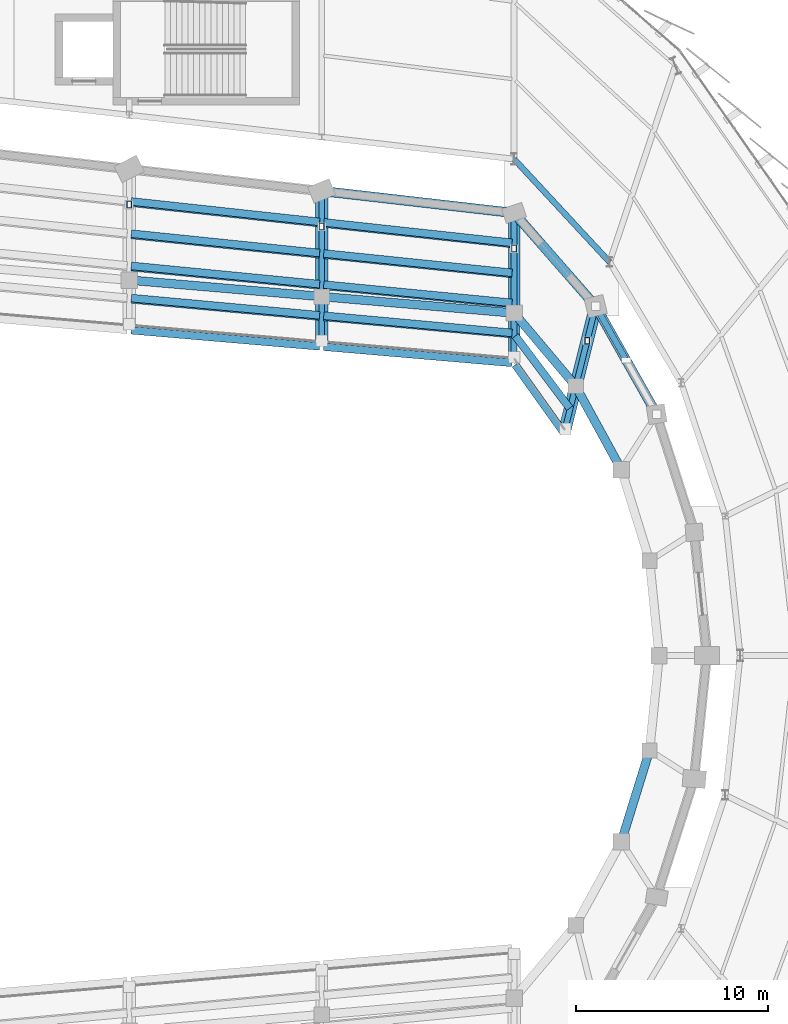
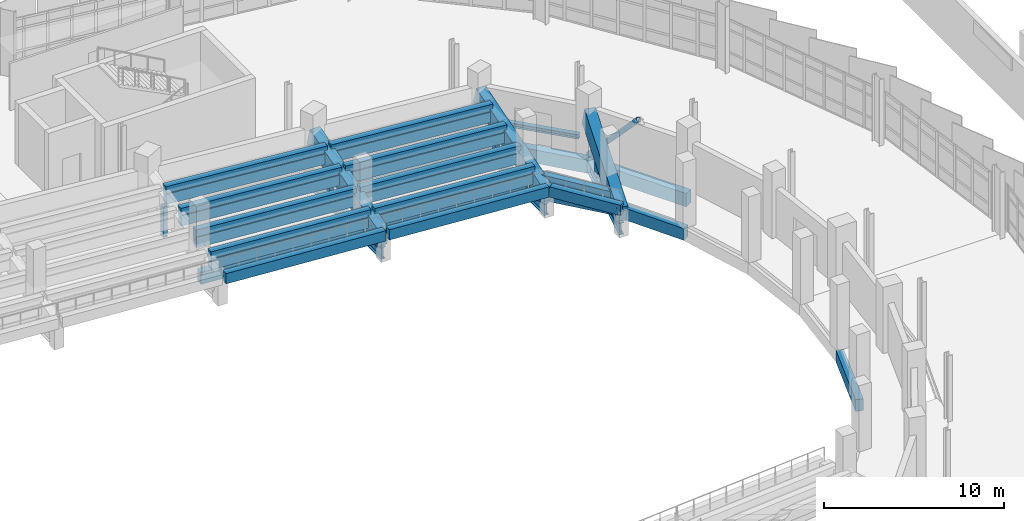
# One storey, part 65 of 120: 35 beams, 5 members.
"""IFC4 building model written with IfcOpenShell, lengths in metres."""

from ifc_helpers import new_model, si_unit, direction, frame, origin, origin_2d, place, context, subcontext, project, spatial, rectangle, hollow_rectangle, hollow_circle, i_section, extrude, material, material_profile, profile_set, type_object, element, save


model = new_model("IFC4")

# Units and contexts
model_context = context("Model", 3, precision=1e-05, world=origin(), true_north=direction((0.0, 1.0)))
body_context = subcontext(model_context, "Body", "Model", "MODEL_VIEW")
ifc_project = project(units=[si_unit("LENGTHUNIT", "METRE"), si_unit("AREAUNIT", "SQUARE_METRE"), si_unit("VOLUMEUNIT", "CUBIC_METRE"), si_unit("PLANEANGLEUNIT", "RADIAN"), si_unit("MASSUNIT", "GRAM", prefix="KILO")], contexts=[model_context])

# Site, building, storey
site_placement = place(None, origin())
site = spatial("IfcSite", under=ifc_project, at=site_placement, CompositionType="ELEMENT")
building_placement = place(site_placement, origin())
building = spatial("IfcBuilding", under=site, at=building_placement, Name="Sohan Crest Arena", CompositionType="ELEMENT")
storey_placement = place(building_placement, frame((0.0, 0.0, 13.5)))
storey = spatial("IfcBuildingStorey", under=building, at=storey_placement, Name="L03", CompositionType="ELEMENT", Elevation=13.5)

# Beams
ifc_material_1 = material(Name="Steel S355", Category="steel")
ifc_material_profile_1 = material_profile(ifc_material_1, i_section(OverallWidth=0.300048828125, OverallDepth=0.300048828125, WebThickness=0.010986328125, FlangeThickness=0.01904296875, at=origin_2d()), Name="HEB 300")
ifc_profile_set_1 = profile_set([ifc_material_profile_1], Name="Steel S355")
beam_type_1 = type_object("IfcBeamType", Name="STR-BM-B12", PredefinedType="BEAM", material=ifc_profile_set_1)
beam_1_placement = place(storey_placement, frame((172.9609375, 98.452880859375, -0.39990234375), z_axis=(-0.680135214567, 0.733086686488, 0.0), x_axis=(-0.733086686488, -0.680135214567, 0.0)))
element("IfcBeam", 1, at=beam_1_placement, inside=storey, type_object=beam_type_1, Name="Structural beam G-L03-1516", PredefinedType="BEAM", context=body_context, shape_type="SweptSolid", body=[
    extrude(i_section(OverallWidth=0.300048828125, OverallDepth=0.300048828125, WebThickness=0.010986328125, FlangeThickness=0.01904296875, at=origin_2d()), origin(), (0.0, 0.0, 1.0), 7.2939453125),
])
ifc_material_profile_2 = material_profile(ifc_material_1, i_section(OverallWidth=0.300048828125, OverallDepth=0.800048828125, WebThickness=0.017578125, FlangeThickness=0.032958984375, at=origin_2d()), Name="HEB 800")
ifc_profile_set_2 = profile_set([ifc_material_profile_2], Name="Steel S355")
beam_type_2 = type_object("IfcBeamType", Name="STR-BM-B17", PredefinedType="BEAM", material=ifc_profile_set_2)
beam_2_placement = place(storey_placement, frame((172.242919921875, 96.154052734375, -0.64990234375), z_axis=(-0.242675466655, -0.970107529032, 0.0), x_axis=(0.970107529032, -0.242675466655, 0.0)))
element("IfcBeam", 2, at=beam_2_placement, inside=storey, type_object=beam_type_2, Name="Structural beam GC-L03-0878", PredefinedType="BEAM", context=body_context, shape_type="SweptSolid", body=[
    extrude(i_section(OverallWidth=0.300048828125, OverallDepth=0.800048828125, WebThickness=0.017578125, FlangeThickness=0.032958984375, at=origin_2d()), origin(), (0.0, 0.0, 1.0), 6.572509765625),
])
beam_3_placement = place(storey_placement, frame((168.0, 101.0, -0.64990234375), z_axis=(0.0, -1.0, 0.0), x_axis=(1.0, 0.0, 0.0)))
element("IfcBeam", 3, at=beam_3_placement, inside=storey, type_object=beam_type_2, Name="Structural beam GC-L03-0881", PredefinedType="BEAM", context=body_context, shape_type="SweptSolid", body=[
    extrude(i_section(OverallWidth=0.300048828125, OverallDepth=0.800048828125, WebThickness=0.017578125, FlangeThickness=0.032958984375, at=origin_2d()), origin(), (0.0, 0.0, 1.0), 7.5),
])
beam_4_placement = place(storey_placement, frame((158.0, 102.14306640625, -0.64990234375), z_axis=(0.0, -1.0, 0.0), x_axis=(1.0, 0.0, 0.0)))
element("IfcBeam", 4, at=beam_4_placement, inside=storey, type_object=beam_type_2, Name="Structural beam GC-L03-0884", PredefinedType="BEAM", context=body_context, shape_type="SweptSolid", body=[
    extrude(i_section(OverallWidth=0.300048828125, OverallDepth=0.800048828125, WebThickness=0.017578125, FlangeThickness=0.032958984375, at=origin_2d()), origin(), (0.0, 0.0, 1.0), 7.7861328125),
])
ifc_material_2 = material(Name="Precast concrete C50/60", Category="concrete")
ifc_material_profile_3 = material_profile(ifc_material_2, rectangle(XDim=0.60009765625, YDim=1.199951171875, at=origin_2d()), Name="RAKER 600x1200")
ifc_profile_set_3 = profile_set([ifc_material_profile_3], Name="Precast concrete C50/60")
beam_type_3 = type_object("IfcBeamType", Name="STR-BM-RK04", PredefinedType="USERDEFINED", material=ifc_profile_set_3)
beam_5_placement = place(storey_placement, frame((168.0, 93.5, 0.35009765625), z_axis=(0.0, 0.95606118681, 0.293167199862), x_axis=(-1.0, 0.0, 0.0)))
element("IfcBeam", 5, at=beam_5_placement, inside=storey, type_object=beam_type_3, Name="Structural beam RKU-L03-0882", ObjectType="RAKER", PredefinedType="USERDEFINED", context=body_context, shape_type="SweptSolid", body=[
    extrude(rectangle(XDim=0.60009765625, YDim=1.199951171875, at=origin_2d()), origin(), (0.0, 0.0, 1.0), 7.8447265625),
])
ifc_material_profile_4 = material_profile(ifc_material_2, rectangle(XDim=0.64990234375, YDim=1.25, at=origin_2d()), Name="RAKER 650x1250")
ifc_profile_set_4 = profile_set([ifc_material_profile_4], Name="Precast concrete C50/60")
beam_type_4 = type_object("IfcBeamType", Name="STR-BM-RK05", PredefinedType="USERDEFINED", material=ifc_profile_set_4)
beam_6_placement = place(storey_placement, frame((158.0, 94.35693359375, 0.35009765625), z_axis=(0.0, 0.959039248172, 0.283273225818), x_axis=(-1.0, 0.0, 0.0)))
element("IfcBeam", 6, at=beam_6_placement, inside=storey, type_object=beam_type_4, Name="Structural beam RKU-L03-0885", ObjectType="RAKER", PredefinedType="USERDEFINED", context=body_context, shape_type="SweptSolid", body=[
    extrude(rectangle(XDim=0.64990234375, YDim=1.25, at=origin_2d()), origin(), (0.0, 0.0, 1.0), 8.11865234375),
])
ifc_material_profile_5 = material_profile(ifc_material_2, rectangle(XDim=0.64990234375, YDim=1.35009765625, at=origin_2d()), Name="RAKER 650x1350")
ifc_profile_set_5 = profile_set([ifc_material_profile_5], Name="Precast concrete C50/60")
beam_type_5 = type_object("IfcBeamType", Name="STR-BM-RK06", PredefinedType="USERDEFINED", material=ifc_profile_set_5)
beam_7_placement = place(storey_placement, frame((170.64794921875, 89.778076171875, 0.35009765625), z_axis=(0.229057247577, 0.915668005163, 0.330280004925), x_axis=(-0.970107529032, 0.242675466655, 0.0)))
element("IfcBeam", 7, at=beam_7_placement, inside=storey, type_object=beam_type_5, Name="Structural beam RKU-L03-0879", ObjectType="RAKER", PredefinedType="USERDEFINED", context=body_context, shape_type="SweptSolid", body=[
    extrude(rectangle(XDim=0.64990234375, YDim=1.35009765625, at=origin_2d()), origin(), (0.0, 0.0, 1.0), 6.963134765625),
])
ifc_material_3 = material(Name="Concrete C40/50", Category="concrete")
ifc_material_profile_6 = material_profile(ifc_material_3, rectangle(XDim=0.39990234375, YDim=0.699951171875, at=origin_2d()), Name="RC-BM 400x700")
ifc_profile_set_6 = profile_set([ifc_material_profile_6], Name="Concrete C40/50")
beam_type_6 = type_object("IfcBeamType", Name="STR-BM-TB01", PredefinedType="BEAM", material=ifc_profile_set_6)
beam_8_placement = place(storey_placement, frame((170.583984375, 89.575927734375, 0.85595703125), z_axis=(-0.580567609118, 0.81421204317, 0.0), x_axis=(-0.81421204317, -0.580567609118, 0.0)))
element("IfcBeam", 8, at=beam_8_placement, inside=storey, type_object=beam_type_6, Name="Upper tier front stringer TSB-U195A", PredefinedType="BEAM", context=body_context, shape_type="SweptSolid", body=[
    extrude(rectangle(XDim=0.39990234375, YDim=0.699951171875, at=origin_2d()), origin(), (0.0, 0.0, 1.0), 4.340576171875),
])
beam_9_placement = place(storey_placement, frame((170.887939453125, 90.85498046875, 0.85595703125), z_axis=(-0.600773100005, 0.799419590897, 0.0), x_axis=(-0.799419590897, -0.600773100005, 0.0)))
element("IfcBeam", 9, at=beam_9_placement, inside=storey, type_object=beam_type_6, Name="Upper tier rear stringer TSB-U195B", PredefinedType="BEAM", context=body_context, shape_type="SweptSolid", body=[
    extrude(rectangle(XDim=0.39990234375, YDim=0.699951171875, at=origin_2d()), origin(), (0.0, 0.0, 1.0), 4.697265625),
])
beam_10_placement = place(storey_placement, frame((167.889892578125, 93.208984375, 0.85595703125), z_axis=(-0.996339328782, 0.085486501399, 0.0), x_axis=(-0.085486501399, -0.996339328782, 0.0)))
element("IfcBeam", 10, at=beam_10_placement, inside=storey, type_object=beam_type_6, Name="Upper tier front stringer TSB-U201A", PredefinedType="BEAM", context=body_context, shape_type="SweptSolid", body=[
    extrude(rectangle(XDim=0.39990234375, YDim=0.699951171875, at=origin_2d()), origin(), (0.0, 0.0, 1.0), 9.815673828125),
])
beam_11_placement = place(storey_placement, frame((167.889892578125, 94.7080078125, 0.85595703125), z_axis=(-0.995865446367, 0.090840589671, 0.0), x_axis=(-0.090840589671, -0.995865446367, 0.0)))
element("IfcBeam", 11, at=beam_11_placement, inside=storey, type_object=beam_type_6, Name="Upper tier rear stringer TSB-U201B", PredefinedType="BEAM", context=body_context, shape_type="SweptSolid", body=[
    extrude(rectangle(XDim=0.39990234375, YDim=0.699951171875, at=origin_2d()), origin(), (0.0, 0.0, 1.0), 9.8203125),
])
beam_12_placement = place(storey_placement, frame((167.889892578125, 94.77001953125, 1.31591796875), z_axis=(-0.995847435054, 0.091037827829, 0.0), x_axis=(-0.091037827829, -0.995847435054, 0.0)))
element("IfcBeam", 12, at=beam_12_placement, inside=storey, type_object=beam_type_6, Name="Upper tier front stringer TSB-U202A", PredefinedType="BEAM", context=body_context, shape_type="SweptSolid", body=[
    extrude(rectangle(XDim=0.39990234375, YDim=0.699951171875, at=origin_2d()), origin(), (0.0, 0.0, 1.0), 9.820556640625),
])
beam_13_placement = place(storey_placement, frame((167.89111328125, 96.26904296875, 1.31591796875), z_axis=(-0.995346555601, 0.096359920365, 0.0), x_axis=(-0.096359920365, -0.995346555601, 0.0)))
element("IfcBeam", 13, at=beam_13_placement, inside=storey, type_object=beam_type_6, Name="Upper tier rear stringer TSB-U202B", PredefinedType="BEAM", context=body_context, shape_type="SweptSolid", body=[
    extrude(rectangle(XDim=0.39990234375, YDim=0.699951171875, at=origin_2d()), origin(), (0.0, 0.0, 1.0), 9.827880859375),
])
beam_14_placement = place(storey_placement, frame((167.89111328125, 96.3310546875, 1.77587890625), z_axis=(-0.995327475859, 0.096556800905, 0.0), x_axis=(-0.096556800905, -0.995327475859, 0.0)))
element("IfcBeam", 14, at=beam_14_placement, inside=storey, type_object=beam_type_6, Name="Upper tier front stringer TSB-U203A", PredefinedType="BEAM", context=body_context, shape_type="SweptSolid", body=[
    extrude(rectangle(XDim=0.39990234375, YDim=0.699951171875, at=origin_2d()), origin(), (0.0, 0.0, 1.0), 9.828125),
])
beam_15_placement = place(storey_placement, frame((167.89111328125, 97.8291015625, 1.77587890625), z_axis=(-0.994775234017, 0.102089342175, 0.0), x_axis=(-0.102089342175, -0.994775234017, 0.0)))
element("IfcBeam", 15, at=beam_15_placement, inside=storey, type_object=beam_type_6, Name="Upper tier rear stringer TSB-U203B", PredefinedType="BEAM", context=body_context, shape_type="SweptSolid", body=[
    extrude(rectangle(XDim=0.39990234375, YDim=0.699951171875, at=origin_2d()), origin(), (0.0, 0.0, 1.0), 9.83349609375),
])
beam_16_placement = place(storey_placement, frame((167.89111328125, 97.89111328125, 2.236083984375), z_axis=(-0.994744935086, 0.102384149753, 0.0), x_axis=(-0.102384149753, -0.994744935086, 0.0)))
element("IfcBeam", 16, at=beam_16_placement, inside=storey, type_object=beam_type_6, Name="Upper tier front stringer TSB-U204A", PredefinedType="BEAM", context=body_context, shape_type="SweptSolid", body=[
    extrude(rectangle(XDim=0.39990234375, YDim=0.699951171875, at=origin_2d()), origin(), (0.0, 0.0, 1.0), 9.833984375),
])
beam_17_placement = place(storey_placement, frame((167.89111328125, 99.389892578125, 2.236083984375), z_axis=(-0.994190266823, 0.107636951619, 0.0), x_axis=(-0.107636951619, -0.994190266823, 0.0)))
element("IfcBeam", 17, at=beam_17_placement, inside=storey, type_object=beam_type_6, Name="Upper tier rear stringer TSB-U204B", PredefinedType="BEAM", context=body_context, shape_type="SweptSolid", body=[
    extrude(rectangle(XDim=0.39990234375, YDim=0.699951171875, at=origin_2d()), origin(), (0.0, 0.0, 1.0), 9.83935546875),
])
beam_18_placement = place(storey_placement, frame((167.89111328125, 99.451904296875, 2.696044921875), z_axis=(-0.994158361485, 0.107931238706, 0.0), x_axis=(-0.107931238706, -0.994158361485, 0.0)))
element("IfcBeam", 18, at=beam_18_placement, inside=storey, type_object=beam_type_6, Name="Upper tier front stringer TSB-U205A", PredefinedType="BEAM", context=body_context, shape_type="SweptSolid", body=[
    extrude(rectangle(XDim=0.39990234375, YDim=0.699951171875, at=origin_2d()), origin(), (0.0, 0.0, 1.0), 9.839599609375),
])
beam_19_placement = place(storey_placement, frame((157.889892578125, 94.06591796875, 0.85595703125), z_axis=(-0.996339328782, 0.085486501399, 0.0), x_axis=(-0.085486501399, -0.996339328782, 0.0)))
element("IfcBeam", 19, at=beam_19_placement, inside=storey, type_object=beam_type_6, Name="Upper tier front stringer TSB-U211A", PredefinedType="BEAM", context=body_context, shape_type="SweptSolid", body=[
    extrude(rectangle(XDim=0.39990234375, YDim=0.699951171875, at=origin_2d()), origin(), (0.0, 0.0, 1.0), 9.815673828125),
])
beam_20_placement = place(storey_placement, frame((157.889892578125, 95.6201171875, 0.85595703125), z_axis=(-0.99587668393, 0.090717310391, 0.0), x_axis=(-0.090717310391, -0.99587668393, 0.0)))
element("IfcBeam", 20, at=beam_20_placement, inside=storey, type_object=beam_type_6, Name="Upper tier rear stringer TSB-U211B", PredefinedType="BEAM", context=body_context, shape_type="SweptSolid", body=[
    extrude(rectangle(XDim=0.39990234375, YDim=0.699951171875, at=origin_2d()), origin(), (0.0, 0.0, 1.0), 9.8203125),
])
beam_21_placement = place(storey_placement, frame((157.889892578125, 95.68408203125, 1.31591796875), z_axis=(-0.995849688569, 0.091013173645, 0.0), x_axis=(-0.091013173645, -0.995849688569, 0.0)))
element("IfcBeam", 21, at=beam_21_placement, inside=storey, type_object=beam_type_6, Name="Upper tier front stringer TSB-U212A", PredefinedType="BEAM", context=body_context, shape_type="SweptSolid", body=[
    extrude(rectangle(XDim=0.39990234375, YDim=0.699951171875, at=origin_2d()), origin(), (0.0, 0.0, 1.0), 9.820556640625),
])
beam_22_placement = place(storey_placement, frame((157.89111328125, 97.238037109375, 1.31591796875), z_axis=(-0.995346555601, 0.096359920365, 0.0), x_axis=(-0.096359920365, -0.995346555601, 0.0)))
element("IfcBeam", 22, at=beam_22_placement, inside=storey, type_object=beam_type_6, Name="Upper tier rear stringer TSB-U212B", PredefinedType="BEAM", context=body_context, shape_type="SweptSolid", body=[
    extrude(rectangle(XDim=0.39990234375, YDim=0.699951171875, at=origin_2d()), origin(), (0.0, 0.0, 1.0), 9.827880859375),
])
beam_23_placement = place(storey_placement, frame((157.89111328125, 97.302001953125, 1.77587890625), z_axis=(-0.995317921659, 0.096655236927, 0.0), x_axis=(-0.096655236927, -0.995317921659, 0.0)))
element("IfcBeam", 23, at=beam_23_placement, inside=storey, type_object=beam_type_6, Name="Upper tier front stringer TSB-U213A", PredefinedType="BEAM", context=body_context, shape_type="SweptSolid", body=[
    extrude(rectangle(XDim=0.39990234375, YDim=0.699951171875, at=origin_2d()), origin(), (0.0, 0.0, 1.0), 9.828125),
])
beam_24_placement = place(storey_placement, frame((157.89111328125, 98.85498046875, 1.77587890625), z_axis=(-0.994775234017, 0.102089342175, 0.0), x_axis=(-0.102089342175, -0.994775234017, 0.0)))
element("IfcBeam", 24, at=beam_24_placement, inside=storey, type_object=beam_type_6, Name="Upper tier rear stringer TSB-U213B", PredefinedType="BEAM", context=body_context, shape_type="SweptSolid", body=[
    extrude(rectangle(XDim=0.39990234375, YDim=0.699951171875, at=origin_2d()), origin(), (0.0, 0.0, 1.0), 9.83349609375),
])
beam_25_placement = place(storey_placement, frame((157.89111328125, 98.919921875, 2.236083984375), z_axis=(-0.994752517837, 0.102310450384, 0.0), x_axis=(-0.102310450384, -0.994752517837, 0.0)))
element("IfcBeam", 25, at=beam_25_placement, inside=storey, type_object=beam_type_6, Name="Upper tier front stringer TSB-U214A", PredefinedType="BEAM", context=body_context, shape_type="SweptSolid", body=[
    extrude(rectangle(XDim=0.39990234375, YDim=0.699951171875, at=origin_2d()), origin(), (0.0, 0.0, 1.0), 9.833740234375),
])
for number, where, z_axis, x_axis, name in (
    (26, (157.89111328125, 100.472900390625, 2.236083984375), (-0.994179641162, 0.107735050462, 0.0), (-0.107735050462, -0.994179641162, 0.0), "Upper tier rear stringer TSB-U214B"),
    (27, (157.89111328125, 100.5380859375, 2.696044921875), (-0.994158361485, 0.107931238706, 0.0), (-0.107931238706, -0.994158361485, 0.0), "Upper tier front stringer TSB-U215A"),
):
    element("IfcBeam", number, at=place(storey_placement, frame(where, z_axis=z_axis, x_axis=x_axis)), inside=storey, type_object=beam_type_6, Name=name, PredefinedType="BEAM", context=body_context, shape_type="SweptSolid", body=[
        extrude(rectangle(XDim=0.39990234375, YDim=0.699951171875, at=origin_2d()), origin(), (0.0, 0.0, 1.0), 9.839599609375),
    ])
ifc_material_profile_7 = material_profile(ifc_material_3, rectangle(XDim=0.449951171875, YDim=0.800048828125, at=origin_2d()), Name="RC-BM 450x800")
ifc_profile_set_7 = profile_set([ifc_material_profile_7], Name="Concrete C40/50")
beam_type_7 = type_object("IfcBeamType", Name="STR-BM-TB02", PredefinedType="BEAM", material=ifc_profile_set_7)
beam_26_placement = place(storey_placement, frame((173.571044921875, 68.3359375, -0.64990234375), z_axis=(0.295819661295, 0.955243805524, 0.0), x_axis=(-0.955243805524, 0.295819661295, 0.0)))
element("IfcBeam", 28, at=beam_26_placement, inside=storey, type_object=beam_type_7, Name="Structural beam TB-L03-0537", PredefinedType="BEAM", context=body_context, shape_type="SweptSolid", body=[
    extrude(rectangle(XDim=0.449951171875, YDim=0.800048828125, at=origin_2d()), origin(), (0.0, 0.0, 1.0), 4.9560546875),
])
beam_27_placement = place(storey_placement, frame((173.571044921875, 87.6640625, -0.64990234375), z_axis=(-0.479687297687, 0.877439511555, 0.0), x_axis=(-0.877439511555, -0.479687297687, 0.0)))
element("IfcBeam", 29, at=beam_27_placement, inside=storey, type_object=beam_type_7, Name="Structural beam TB-L03-0629", PredefinedType="BEAM", context=body_context, shape_type="SweptSolid", body=[
    extrude(rectangle(XDim=0.449951171875, YDim=0.800048828125, at=origin_2d()), origin(), (0.0, 0.0, 1.0), 4.955322265625),
])
beam_28_placement = place(storey_placement, frame((171.194091796875, 92.011962890625, -0.64990234375), z_axis=(-0.644622663131, 0.764500897435, 0.0), x_axis=(-0.764500897435, -0.644622663131, 0.0)))
element("IfcBeam", 30, at=beam_28_placement, inside=storey, type_object=beam_type_7, Name="Structural beam TB-L03-0652", PredefinedType="BEAM", context=body_context, shape_type="SweptSolid", body=[
    extrude(rectangle(XDim=0.449951171875, YDim=0.800048828125, at=origin_2d()), origin(), (0.0, 0.0, 1.0), 4.955078125),
])
for number, where, z_axis, x_axis, name in (
    (31, (168.0, 95.800048828125, -0.64990234375), (-0.996348422929, 0.085380443469, 0.0), (-0.085380443469, -0.996348422929, 0.0), "Structural beam TB-L03-0674"),
    (32, (158.0, 96.656982421875, -0.64990234375), (-0.996348422929, 0.085380443469, 0.0), (-0.085380443469, -0.996348422929, 0.0), "Structural beam TB-L03-0696"),
):
    element("IfcBeam", number, at=place(storey_placement, frame(where, z_axis=z_axis, x_axis=x_axis)), inside=storey, type_object=beam_type_7, Name=name, PredefinedType="BEAM", context=body_context, shape_type="SweptSolid", body=[
        extrude(rectangle(XDim=0.449951171875, YDim=0.800048828125, at=origin_2d()), origin(), (0.0, 0.0, 1.0), 10.03662109375),
    ])
ifc_material_profile_8 = material_profile(ifc_material_3, rectangle(XDim=0.5, YDim=0.89990234375, at=origin_2d()), Name="RC-BM 500x900")
ifc_profile_set_8 = profile_set([ifc_material_profile_8], Name="Concrete C40/50")
beam_type_8 = type_object("IfcBeamType", Name="STR-BM-TB03", PredefinedType="BEAM", material=ifc_profile_set_8)
for number, where, z_axis, x_axis, name in (
    (33, (175.408935546875, 90.544921875, -0.699951171875), (-0.491543833039, 0.870852834985, 0.0), (-0.870852834985, -0.491543833039, 0.0), "Structural beam TB-L03-0630"),
    (34, (172.242919921875, 96.154052734375, -0.699951171875), (-0.658743407002, 0.752367678553, 0.0), (-0.752367678553, -0.658743407002, 0.0), "Structural beam TB-L03-0653"),
):
    element("IfcBeam", number, at=place(storey_placement, frame(where, z_axis=z_axis, x_axis=x_axis)), inside=storey, type_object=beam_type_8, Name=name, PredefinedType="BEAM", context=body_context, shape_type="SweptSolid", body=[
        extrude(rectangle(XDim=0.5, YDim=0.89990234375, at=origin_2d()), origin(), (0.0, 0.0, 1.0), 6.44091796875),
    ])
beam_29_placement = place(storey_placement, frame((168.0, 101.0, -0.699951171875), z_axis=(-0.99353032697, 0.113567114035, 0.0), x_axis=(-0.113567114035, -0.99353032697, 0.0)))
element("IfcBeam", 35, at=beam_29_placement, inside=storey, type_object=beam_type_8, Name="Structural beam TB-L03-0675", PredefinedType="BEAM", context=body_context, shape_type="SweptSolid", body=[
    extrude(rectangle(XDim=0.5, YDim=0.89990234375, at=origin_2d()), origin(), (0.0, 0.0, 1.0), 10.065185546875),
])

# Members
ifc_material_profile_9 = material_profile(ifc_material_1, hollow_circle(Radius=0.161865234375, WallThickness=0.012451171875, at=origin_2d()), Name="CHS 323.9x12.5")
ifc_profile_set_9 = profile_set([ifc_material_profile_9], Name="Steel S355")
member_type_1 = type_object("IfcMemberType", Name="STR-MEM-BR03", PredefinedType="BRACE", material=ifc_profile_set_9)
member_1_placement = place(storey_placement, frame((172.242919921875, 96.154052734375, 0.0), z_axis=(0.332855096691, -0.589580627004, 0.735936253264), x_axis=(0.870807032263, 0.491624971458, 0.0)))
element("IfcMember", 36, at=member_1_placement, inside=storey, type_object=member_type_1, Name="Concentric lateral chevron brace BR-032", PredefinedType="BRACE", context=body_context, shape_type="SweptSolid", body=[
    extrude(hollow_circle(Radius=0.161865234375, WallThickness=0.012451171875, at=origin_2d()), origin(), (0.0, 0.0, 1.0), 4.755859375),
])
ifc_material_profile_10 = material_profile(ifc_material_1, hollow_rectangle(XDim=0.25, YDim=0.35009765625, WallThickness=0.012451171875, at=origin_2d()), Name="RHS 350x250x12.5")
ifc_profile_set_10 = profile_set([ifc_material_profile_10], Name="Steel S355")
member_type_2 = type_object("IfcMemberType", Name="STR-MEM-CH04", PredefinedType="CHORD", material=ifc_profile_set_10)
member_2_placement = place(storey_placement, frame((171.803955078125, 94.35693359375, -0.260009765625), z_axis=(0.0, 0.0, 1.0), x_axis=(1.0, 0.0, 0.0)))
element("IfcMember", 37, at=member_2_placement, inside=storey, type_object=member_type_2, Name="Upper tier rear raker support post RKP-O27", PredefinedType="CHORD", context=body_context, shape_type="SweptSolid", body=[
    extrude(hollow_rectangle(XDim=0.25, YDim=0.35009765625, WallThickness=0.012451171875, at=origin_2d()), origin(), (0.0, 0.0, 1.0), 2.0849609375),
])
member_3_placement = place(storey_placement, frame((168.0, 99.14990234375, -0.260009765625), z_axis=(0.0, 0.0, 1.0), x_axis=(1.0, 0.0, 0.0)))
element("IfcMember", 38, at=member_3_placement, inside=storey, type_object=member_type_2, Name="Upper tier rear raker support post RKP-O28", PredefinedType="CHORD", context=body_context, shape_type="SweptSolid", body=[
    extrude(hollow_rectangle(XDim=0.25, YDim=0.35009765625, WallThickness=0.012451171875, at=origin_2d()), origin(), (0.0, 0.0, 1.0), 2.159912109375),
])
member_4_placement = place(storey_placement, frame((158.0, 100.29296875, -0.260009765625), z_axis=(0.0, 0.0, 1.0), x_axis=(1.0, 0.0, 0.0)))
element("IfcMember", 39, at=member_4_placement, inside=storey, type_object=member_type_2, Name="Upper tier rear raker support post RKP-O29", PredefinedType="CHORD", context=body_context, shape_type="SweptSolid", body=[
    extrude(hollow_rectangle(XDim=0.25, YDim=0.35009765625, WallThickness=0.012451171875, at=origin_2d()), origin(), (0.0, 0.0, 1.0), 2.135009765625),
])
member_5_placement = place(storey_placement, frame((148.0, 101.43603515625, -0.260009765625), z_axis=(0.0, 0.0, 1.0), x_axis=(1.0, 0.0, 0.0)))
element("IfcMember", 40, at=member_5_placement, inside=storey, type_object=member_type_2, Name="Upper tier rear raker support post RKP-O30", PredefinedType="CHORD", context=body_context, shape_type="SweptSolid", body=[
    extrude(hollow_rectangle(XDim=0.25, YDim=0.35009765625, WallThickness=0.012451171875, at=origin_2d()), origin(), (0.0, 0.0, 1.0), 2.0849609375),
])

save(model, "model.ifc")
